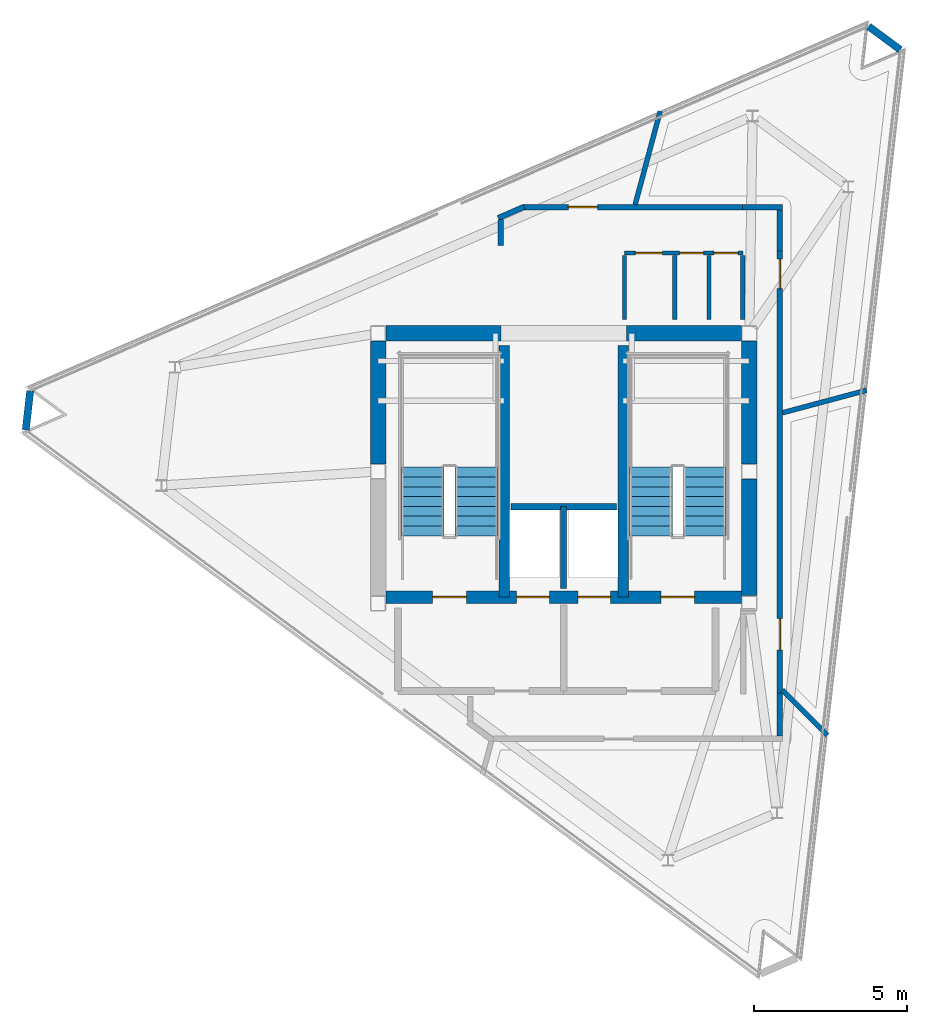
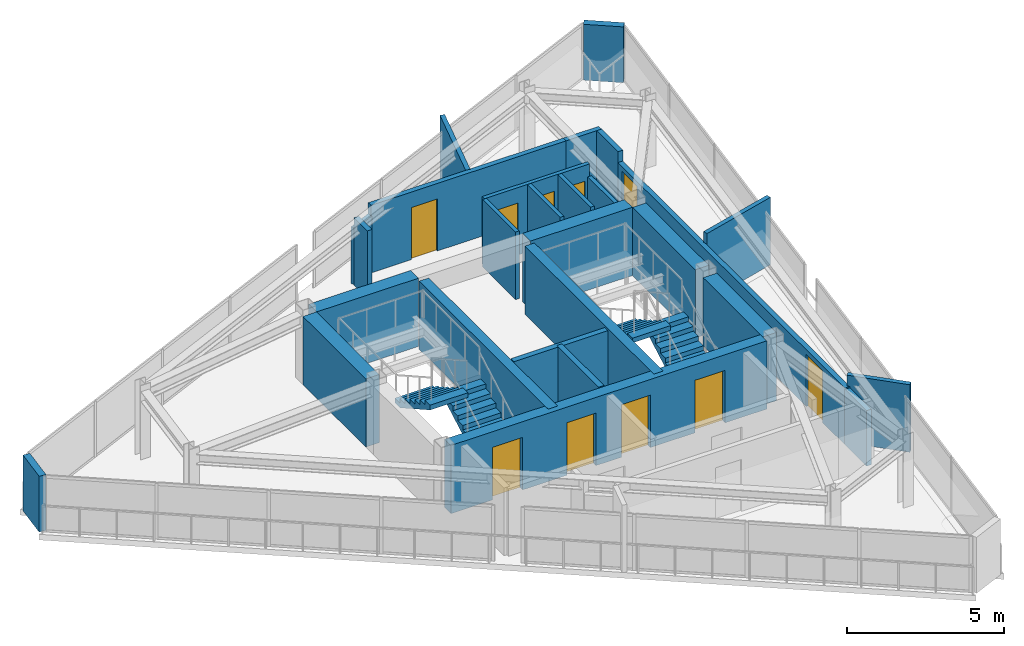
# One storey, part 7 of 9: 27 walls, 10 doors, 4 stair flights, 10 openings, 2 elements without a shape of their own.
"""IFC4 building model written with IfcOpenShell, lengths in metres."""

from ifc_helpers import new_model, si_unit, direction, frame, frame_2d, origin, place, context, subcontext, project, spatial, polyline, rectangle, outline, extrude, material, layer, layer_set, type_object, element, fill, aggregate, save


model = new_model("IFC4")

# Units and contexts
model_context = context("Model", 3, precision=1e-05, world=origin(), true_north=direction((0.0, 1.0)))
body_context = subcontext(model_context, "Body", "Model", "MODEL_VIEW")
ifc_project = project(units=[si_unit("LENGTHUNIT", "METRE"), si_unit("AREAUNIT", "SQUARE_METRE"), si_unit("VOLUMEUNIT", "CUBIC_METRE"), si_unit("PLANEANGLEUNIT", "RADIAN"), si_unit("MASSUNIT", "GRAM", prefix="KILO")], contexts=[model_context])

# Site, building, storey
site_placement = place(None, origin())
site = spatial("IfcSite", under=ifc_project, at=site_placement, CompositionType="ELEMENT")
building_placement = place(site_placement, origin())
building = spatial("IfcBuilding", under=site, at=building_placement, Name="Rocaltana Carrier Exchange", CompositionType="ELEMENT")
storey_placement = place(building_placement, frame((0.0, 0.0, 246.239990234375)))
storey = spatial("IfcBuildingStorey", under=building, at=storey_placement, Name="L78", CompositionType="ELEMENT", Elevation=246.239990234375)

# Walls
ifc_material_1 = material(Name="Double Acoustic Gypsum Partition", Category="gypsum")
ifc_layer_1 = layer(ifc_material_1, 0.159912109375)
ifc_layer_set_1 = layer_set([ifc_layer_1], Name="Double Acoustic Gypsum Partition")
wall_type_1 = type_object("IfcWallType", Name="Acoustic Studio Partition 160 EI60", PredefinedType="PARTITIONING", material=ifc_layer_set_1)
wall_1_placement = place(storey_placement, frame((7.1298828125, -7.1298828125, 0.0), z_axis=(0.0, 0.0, 1.0), x_axis=(0.707106781187, -0.707106781187, 0.0)))
element("IfcWall", 1, at=wall_1_placement, inside=storey, type_object=wall_type_1, Name="L78 Suite Divider Wall D2", PredefinedType="PARTITIONING", context=body_context, shape_type="SweptSolid", body=[
    extrude(rectangle(XDim=2.076416015625, YDim=0.159912109375, at=frame_2d((1.0380859375, 0.0))), origin(), (0.0, 0.0, 1.0), 2.623046875),
])
wall_2_placement = place(storey_placement, frame((7.1298828125, 1.910400390625, 0.0), z_axis=(0.0, 0.0, 1.0), x_axis=(0.965918188347, 0.258847548609, 0.0)))
element("IfcWall", 2, at=wall_2_placement, inside=storey, type_object=wall_type_1, Name="L78 Suite Divider Wall D3", PredefinedType="PARTITIONING", context=body_context, shape_type="SweptSolid", body=[
    extrude(rectangle(XDim=2.846435546875, YDim=0.159912109375, at=frame_2d((1.42333984375, 0.0))), origin(), (0.0, 0.0, 1.0), 2.623046875),
])
wall_3_placement = place(storey_placement, frame((2.331298828125, 8.699951171875, 0.0), z_axis=(0.0, 0.0, 1.0), x_axis=(0.258790273714, 0.9659335351, 0.0)))
element("IfcWall", 3, at=wall_3_placement, inside=storey, type_object=wall_type_1, Name="L78 Suite Divider Wall D4", PredefinedType="PARTITIONING", context=body_context, shape_type="SweptSolid", body=[
    extrude(rectangle(XDim=3.15283203125, YDim=0.159912109375, at=frame_2d((1.576416015625, 0.0))), origin(), (0.0, 0.0, 1.0), 2.623046875),
])
ifc_material_2 = material(Name="Concrete C50/60", Category="concrete")
ifc_layer_2 = layer(ifc_material_2, 0.35009765625)
ifc_layer_set_2 = layer_set([ifc_layer_2], Name="Concrete C50/60")
wall_type_2 = type_object("IfcWallType", Name="Core Internal Shear Wall 350", PredefinedType="SHEAR", material=ifc_layer_set_2)
for number, where, z_axis, x_axis, name in (
    (4, (-1.93994140625, -4.10009765625, 0.0), (0.0, 0.0, 1.0), (0.0, 1.0, 0.0), "L78 Core Shear Wall CW-STW"),
    (5, (1.93994140625, -4.10009765625, 0.0), (0.0, 0.0, 1.0), (0.0, 1.0, 0.0), "L78 Core Shear Wall CW-STE"),
):
    element("IfcWall", number, at=place(storey_placement, frame(where, z_axis=z_axis, x_axis=x_axis)), inside=storey, type_object=wall_type_2, Name=name, PredefinedType="SHEAR", context=body_context, shape_type="SweptSolid", body=[
        extrude(rectangle(XDim=8.2001953125, YDim=0.35009765625, at=frame_2d((4.10009765625, 0.0))), origin(), (0.0, 0.0, 1.0), 2.64794921875),
    ])

# Wall, openings, doors
ifc_material_3 = material(Name="Concrete C50/60", Category="concrete")
ifc_layer_3 = layer(ifc_material_3, 0.39990234375)
ifc_layer_set_3 = layer_set([ifc_layer_3], Name="Concrete C50/60")
wall_type_3 = type_object("IfcWallType", Name="Core Internal Shear Wall 400", PredefinedType="SHEAR", material=ifc_layer_set_3)
wall_4_placement = place(storey_placement, frame((-5.800048828125, -4.10009765625, 0.0), z_axis=(0.0, 0.0, 1.0), x_axis=(1.0, 0.0, 0.0)))
wall_4 = element("IfcWall", 6, at=wall_4_placement, inside=storey, type_object=wall_type_3, Name="L78 Core Shear Wall CW-S", PredefinedType="SHEAR", context=body_context, shape_type="SweptSolid", body=[
    extrude(rectangle(XDim=11.60009765625, YDim=0.39990234375, at=frame_2d((5.800048828125, 0.0))), origin(), (0.0, 0.0, 1.0), 2.64794921875),
])
opening_1_placement = place(wall_4_placement, frame((1.530029296875, 0.0, 0.0)))
opening_1 = element("IfcOpeningElement", 7, at=opening_1_placement, cuts=wall_4, Name="Opening D-ST110", PredefinedType="OPENING", context=body_context, shape_type="SweptSolid", body=[
    extrude(rectangle(XDim=1.10009765625, YDim=2.0400390625, at=frame_2d((0.550048828125, 1.02001953125))), frame((0.0, 0.2099609375, 0.0), z_axis=(0.0, -1.0, 0.0), x_axis=(1.0, 0.0, 0.0)), (0.0, 0.0, 1.0), 0.419921875),
])
opening_2_placement = place(wall_4_placement, frame((8.969970703125, 0.0, 0.0)))
opening_2 = element("IfcOpeningElement", 8, at=opening_2_placement, cuts=wall_4, Name="Opening D-ST110", PredefinedType="OPENING", context=body_context, shape_type="SweptSolid", body=[
    extrude(rectangle(XDim=1.10009765625, YDim=2.0400390625, at=frame_2d((0.550048828125, 1.02001953125))), frame((0.0, 0.2099609375, 0.0), z_axis=(0.0, -1.0, 0.0), x_axis=(1.0, 0.0, 0.0)), (0.0, 0.0, 1.0), 0.419921875),
])
opening_3_placement = place(wall_4_placement, frame((4.27001953125, 0.0, 0.0)))
opening_3 = element("IfcOpeningElement", 9, at=opening_3_placement, cuts=wall_4, Name="Opening LD-110", PredefinedType="OPENING", context=body_context, shape_type="SweptSolid", body=[
    extrude(rectangle(XDim=1.06005859375, YDim=2.0400390625, at=frame_2d((0.530029296875, 1.02001953125))), frame((0.0, 0.2099609375, 0.0), z_axis=(0.0, -1.0, 0.0), x_axis=(1.0, 0.0, 0.0)), (0.0, 0.0, 1.0), 0.419921875),
])
opening_4_placement = place(wall_4_placement, frame((6.27001953125, 0.0, 0.0)))
opening_4 = element("IfcOpeningElement", 10, at=opening_4_placement, cuts=wall_4, Name="Opening LD-110", PredefinedType="OPENING", context=body_context, shape_type="SweptSolid", body=[
    extrude(rectangle(XDim=1.06005859375, YDim=2.0400390625, at=frame_2d((0.530029296875, 1.02001953125))), frame((0.0, 0.2099609375, 0.0), z_axis=(0.0, -1.0, 0.0), x_axis=(1.0, 0.0, 0.0)), (0.0, 0.0, 1.0), 0.419921875),
])
ifc_material_4 = material(Name="Hollow Metal Fire Door Assembly", Category="steel")
door_type_1 = type_object("IfcDoorType", Name="Exit Stair Fire Door 1100x2040 FD90S", OperationType="NOTDEFINED", PredefinedType="DOOR", material=ifc_material_4)
door_1_placement = place(opening_1_placement, origin())
door_1 = element("IfcDoor", 11, at=door_1_placement, inside=storey, type_object=door_type_1, Name="L78 Exit Stair ST1 Fire Door", OperationType="SINGLE_SWING_RIGHT", OverallHeight=2.0400390625, OverallWidth=1.10009765625, PredefinedType="DOOR", context=body_context, shape_type="SweptSolid", body=[
    extrude(rectangle(XDim=1.10009765625, YDim=2.0400390625, at=frame_2d((0.550048828125, 1.02001953125))), frame((0.0, 0.02490234375, 0.0), z_axis=(0.0, -1.0, 0.0), x_axis=(1.0, 0.0, 0.0)), (0.0, 0.0, 1.0), 0.050048828125),
])
fill(opening_1, door_1)
door_2_placement = place(opening_2_placement, origin())
door_2 = element("IfcDoor", 12, at=door_2_placement, inside=storey, type_object=door_type_1, Name="L78 Exit Stair ST2 Fire Door", OperationType="SINGLE_SWING_LEFT", OverallHeight=2.0400390625, OverallWidth=1.10009765625, PredefinedType="DOOR", context=body_context, shape_type="SweptSolid", body=[
    extrude(rectangle(XDim=1.10009765625, YDim=2.0400390625, at=frame_2d((0.550048828125, 1.02001953125))), frame((0.0, 0.02490234375, 0.0), z_axis=(0.0, -1.0, 0.0), x_axis=(1.0, 0.0, 0.0)), (0.0, 0.0, 1.0), 0.050048828125),
])
fill(opening_2, door_2)
ifc_material_5 = material(Name="Brushed Stainless Sliding Door Leaf", Category="steel")
door_type_2 = type_object("IfcDoorType", Name="Lift Landing Sliding Door 1060x2040", OperationType="NOTDEFINED", PredefinedType="DOOR", material=ifc_material_5)
door_3_placement = place(opening_3_placement, origin())
door_3 = element("IfcDoor", 13, at=door_3_placement, inside=storey, type_object=door_type_2, Name="L78 Firefighting Lift FFL1 Landing Door", OperationType="SLIDING_TO_LEFT", OverallHeight=2.0400390625, OverallWidth=1.06005859375, PredefinedType="DOOR", context=body_context, shape_type="SweptSolid", body=[
    extrude(rectangle(XDim=1.06005859375, YDim=2.0400390625, at=frame_2d((0.530029296875, 1.02001953125))), frame((0.0, 0.02490234375, 0.0), z_axis=(0.0, -1.0, 0.0), x_axis=(1.0, 0.0, 0.0)), (0.0, 0.0, 1.0), 0.050048828125),
])
fill(opening_3, door_3)
door_4_placement = place(opening_4_placement, origin())
door_4 = element("IfcDoor", 14, at=door_4_placement, inside=storey, type_object=door_type_2, Name="L78 Firefighting Lift FFL2 Landing Door", OperationType="SLIDING_TO_RIGHT", OverallHeight=2.0400390625, OverallWidth=1.06005859375, PredefinedType="DOOR", context=body_context, shape_type="SweptSolid", body=[
    extrude(rectangle(XDim=1.06005859375, YDim=2.0400390625, at=frame_2d((0.530029296875, 1.02001953125))), frame((0.0, 0.02490234375, 0.0), z_axis=(0.0, -1.0, 0.0), x_axis=(1.0, 0.0, 0.0)), (0.0, 0.0, 1.0), 0.050048828125),
])
fill(opening_4, door_4)

# Walls
ifc_material_6 = material(Name="Concrete C50/60", Category="concrete")
ifc_layer_4 = layer(ifc_material_6, 0.5)
ifc_layer_set_4 = layer_set([ifc_layer_4], Name="Concrete C50/60")
wall_type_4 = type_object("IfcWallType", Name="Core Shear Wall 500", PredefinedType="SHEAR", material=ifc_layer_set_4)
for number, where, z_axis, x_axis, name in (
    (15, (-6.050048828125, 0.25, 0.0), (0.0, 0.0, 1.0), (0.0, 1.0, 0.0), "L78 Core Shear Wall CW-WN"),
    (16, (6.050048828125, 0.25, 0.0), (0.0, 0.0, 1.0), (0.0, 1.0, 0.0), "L78 Core Shear Wall CW-EN"),
):
    element("IfcWall", number, at=place(storey_placement, frame(where, z_axis=z_axis, x_axis=x_axis)), inside=storey, type_object=wall_type_4, Name=name, PredefinedType="SHEAR", context=body_context, shape_type="SweptSolid", body=[
        extrude(rectangle(XDim=4.0, YDim=0.5, at=frame_2d((2.0, 0.0))), origin(), (0.0, 0.0, 1.0), 2.64794921875),
    ])
wall_5_placement = place(storey_placement, frame((6.050048828125, -4.050048828125, 0.0), z_axis=(0.0, 0.0, 1.0), x_axis=(0.0, 1.0, 0.0)))
element("IfcWall", 17, at=wall_5_placement, inside=storey, type_object=wall_type_4, Name="L78 Core Shear Wall CW-ES", PredefinedType="SHEAR", context=body_context, shape_type="SweptSolid", body=[
    extrude(rectangle(XDim=3.800048828125, YDim=0.5, at=frame_2d((1.89990234375, 0.0))), origin(), (0.0, 0.0, 1.0), 2.64794921875),
])
for number, where, z_axis, x_axis, name in (
    (18, (-5.800048828125, 4.5, 0.0), (0.0, 0.0, 1.0), (1.0, 0.0, 0.0), "L78 Core Shear Wall CW-N1"),
    (19, (2.050048828125, 4.5, 0.0), (0.0, 0.0, 1.0), (1.0, 0.0, 0.0), "L78 Core Shear Wall CW-N2"),
):
    element("IfcWall", number, at=place(storey_placement, frame(where, z_axis=z_axis, x_axis=x_axis)), inside=storey, type_object=wall_type_4, Name=name, PredefinedType="SHEAR", context=body_context, shape_type="SweptSolid", body=[
        extrude(rectangle(XDim=3.75, YDim=0.5, at=frame_2d((1.875, 0.0))), origin(), (0.0, 0.0, 1.0), 2.64794921875),
    ])
ifc_material_7 = material(Name="Gypsum & Steel Stud Partition", Category="steel")
ifc_layer_5 = layer(ifc_material_7, 0.179931640625)
ifc_layer_set_5 = layer_set([ifc_layer_5], Name="Gypsum & Steel Stud Partition")
wall_type_5 = type_object("IfcWallType", Name="Corridor Fire Partition 180 EI60", PredefinedType="PARTITIONING", material=ifc_layer_set_5)
wall_6_placement = place(storey_placement, frame((-2.050048828125, 7.360107421875, 0.0), z_axis=(0.0, 0.0, 1.0), x_axis=(0.0, 1.0, 0.0)))
element("IfcWall", 20, at=wall_6_placement, inside=storey, type_object=wall_type_5, Name="L78 Corridor Partition 6", PredefinedType="PARTITIONING", context=body_context, shape_type="SweptSolid", body=[
    extrude(rectangle(XDim=0.846923828125, YDim=0.179931640625, at=frame_2d((0.42333984375, 0.0))), origin(), (0.0, 0.0, 1.0), 2.623046875),
])
wall_7_placement = place(storey_placement, frame((-2.132568359375, 8.260986328125, 0.0), z_axis=(0.0, 0.0, 1.0), x_axis=(0.917032085412, 0.398813432979, 0.0)))
element("IfcWall", 21, at=wall_7_placement, inside=storey, type_object=wall_type_5, Name="L78 Corridor Partition 7", PredefinedType="PARTITIONING", context=body_context, shape_type="SweptSolid", body=[
    extrude(rectangle(XDim=0.920166015625, YDim=0.179931640625, at=frame_2d((0.4599609375, 0.0))), origin(), (0.0, 0.0, 1.0), 2.203125),
])

# Wall, opening, door
wall_8_placement = place(storey_placement, frame((-1.3271484375, 8.6201171875, 0.0), z_axis=(0.0, 0.0, 1.0), x_axis=(1.0, 0.0, 0.0)))
wall_8 = element("IfcWall", 22, at=wall_8_placement, inside=storey, type_object=wall_type_5, Name="L78 Corridor Partition 8", PredefinedType="PARTITIONING", context=body_context, shape_type="SweptSolid", body=[
    extrude(rectangle(XDim=7.197265625, YDim=0.179931640625, at=frame_2d((3.5986328125, 0.0))), origin(), (0.0, 0.0, 1.0), 2.623046875),
])
opening_5_placement = place(wall_8_placement, frame((1.478271484375, 0.0, 0.0)))
opening_5 = element("IfcOpeningElement", 23, at=opening_5_placement, cuts=wall_8, Name="Opening D-RM098", PredefinedType="OPENING", context=body_context, shape_type="SweptSolid", body=[
    extrude(rectangle(XDim=0.9599609375, YDim=2.02001953125, at=frame_2d((0.47998046875, 1.010009765625))), frame((0.0, 0.099853515625, 0.0), z_axis=(0.0, -1.0, 0.0), x_axis=(1.0, 0.0, 0.0)), (0.0, 0.0, 1.0), 0.199951171875),
])
ifc_material_8 = material(Name="Engineered Hardwood Timber", Category="wood")
door_type_3 = type_object("IfcDoorType", Name="Workspace Single Door 960x2020", OperationType="NOTDEFINED", PredefinedType="DOOR", material=ifc_material_8)
door_5_placement = place(opening_5_placement, origin())
door_5 = element("IfcDoor", 24, at=door_5_placement, inside=storey, type_object=door_type_3, Name="L78 Quiet Focus Lounge Entrance Door", OperationType="SINGLE_SWING_RIGHT", OverallHeight=2.02001953125, OverallWidth=0.9599609375, PredefinedType="DOOR", context=body_context, shape_type="SweptSolid", body=[
    extrude(rectangle(XDim=0.9599609375, YDim=2.02001953125, at=frame_2d((0.47998046875, 1.010009765625))), frame((0.0, 0.02490234375, 0.0), z_axis=(0.0, -1.0, 0.0), x_axis=(1.0, 0.0, 0.0)), (0.0, 0.0, 1.0), 0.050048828125),
])
fill(opening_5, door_5)

# Walls
wall_9_placement = place(storey_placement, frame((5.830078125, 8.6201171875, 0.0), z_axis=(0.0, 0.0, 1.0), x_axis=(1.0, 0.0, 0.0)))
element("IfcWall", 25, at=wall_9_placement, inside=storey, type_object=wall_type_5, Name="L78 Corridor Partition 9", PredefinedType="PARTITIONING", context=body_context, shape_type="SweptSolid", body=[
    extrude(rectangle(XDim=1.309814453125, YDim=0.179931640625, at=frame_2d((0.65478515625, 0.0))), origin(), (0.0, 0.0, 1.0), 2.623046875),
])
wall_10_placement = place(storey_placement, frame((7.050048828125, 8.530029296875, 0.0), z_axis=(0.0, 0.0, 1.0), x_axis=(0.0, -1.0, 0.0)))
element("IfcWall", 26, at=wall_10_placement, inside=storey, type_object=wall_type_5, Name="L78 Corridor Partition 10", PredefinedType="PARTITIONING", context=body_context, shape_type="SweptSolid", body=[
    extrude(rectangle(XDim=1.35009765625, YDim=0.179931640625, at=frame_2d((0.675048828125, 0.0))), origin(), (0.0, 0.0, 1.0), 2.623046875),
])

# Wall, openings, doors
wall_11_placement = place(storey_placement, frame((7.050048828125, 7.219970703125, 0.0), z_axis=(0.0, 0.0, 1.0), x_axis=(0.0, -1.0, 0.0)))
wall_11 = element("IfcWall", 27, at=wall_11_placement, inside=storey, type_object=wall_type_5, Name="L78 Corridor Partition 11", PredefinedType="PARTITIONING", context=body_context, shape_type="SweptSolid", body=[
    extrude(rectangle(XDim=14.47998046875, YDim=0.179931640625, at=frame_2d((7.239990234375, 0.0))), origin(), (0.0, 0.0, 1.0), 2.203125),
])
opening_6_placement = place(wall_11_placement, frame((12.019287109375, 0.0, 0.0)))
opening_6 = element("IfcOpeningElement", 28, at=opening_6_placement, cuts=wall_11, Name="Opening D-LB104", PredefinedType="OPENING", context=body_context, shape_type="SweptSolid", body=[
    extrude(rectangle(XDim=1.02001953125, YDim=2.02001953125, at=frame_2d((0.510009765625, 1.010009765625))), frame((0.0, 0.099853515625, 0.0), z_axis=(0.0, -1.0, 0.0), x_axis=(1.0, 0.0, 0.0)), (0.0, 0.0, 1.0), 0.199951171875),
])
opening_7_placement = place(wall_11_placement, frame((0.30029296875, 0.0, 0.0)))
opening_7 = element("IfcOpeningElement", 29, at=opening_7_placement, cuts=wall_11, Name="Opening D-RM098", PredefinedType="OPENING", context=body_context, shape_type="SweptSolid", body=[
    extrude(rectangle(XDim=0.9599609375, YDim=2.02001953125, at=frame_2d((0.47998046875, 1.010009765625))), frame((0.0, 0.099853515625, 0.0), z_axis=(0.0, -1.0, 0.0), x_axis=(1.0, 0.0, 0.0)), (0.0, 0.0, 1.0), 0.199951171875),
])
ifc_material_9 = material(Name="Powder-Coated Aluminium 6063-T6", Category="aluminium")
door_type_4 = type_object("IfcDoorType", Name="Laboratory Acoustic Door 1020x2020", OperationType="NOTDEFINED", PredefinedType="DOOR", material=ifc_material_9)
door_6_placement = place(opening_6_placement, origin())
door_6 = element("IfcDoor", 30, at=door_6_placement, inside=storey, type_object=door_type_4, Name="L78 Optical Switching Laboratory Entrance Door", OperationType="SINGLE_SWING_RIGHT", OverallHeight=2.02001953125, OverallWidth=1.02001953125, PredefinedType="DOOR", context=body_context, shape_type="SweptSolid", body=[
    extrude(rectangle(XDim=1.02001953125, YDim=2.02001953125, at=frame_2d((0.510009765625, 1.010009765625))), frame((0.0, 0.02490234375, 0.0), z_axis=(0.0, -1.0, 0.0), x_axis=(1.0, 0.0, 0.0)), (0.0, 0.0, 1.0), 0.050048828125),
])
fill(opening_6, door_6)
door_7_placement = place(opening_7_placement, origin())
door_7 = element("IfcDoor", 31, at=door_7_placement, inside=storey, type_object=door_type_3, Name="L78 Peering Conference Room Entrance Door", OperationType="SINGLE_SWING_LEFT", OverallHeight=2.02001953125, OverallWidth=0.9599609375, PredefinedType="DOOR", context=body_context, shape_type="SweptSolid", body=[
    extrude(rectangle(XDim=0.9599609375, YDim=2.02001953125, at=frame_2d((0.47998046875, 1.010009765625))), frame((0.0, 0.02490234375, 0.0), z_axis=(0.0, -1.0, 0.0), x_axis=(1.0, 0.0, 0.0)), (0.0, 0.0, 1.0), 0.050048828125),
])
fill(opening_7, door_7)

# Walls
wall_12_placement = place(storey_placement, frame((7.050048828125, -7.219970703125, 0.0), z_axis=(0.0, 0.0, 1.0), x_axis=(0.0, -1.0, 0.0)))
element("IfcWall", 32, at=wall_12_placement, inside=storey, type_object=wall_type_5, Name="L78 Corridor Partition 12", PredefinedType="PARTITIONING", context=body_context, shape_type="SweptSolid", body=[
    extrude(rectangle(XDim=1.409912109375, YDim=0.179931640625, at=frame_2d((0.705078125, 0.0))), origin(), (0.0, 0.0, 1.0), 2.153076171875),
])
ifc_material_10 = material(Name="Reinforced Concrete Block C35/45", Category="concrete")
ifc_layer_6 = layer(ifc_material_10, 0.199951171875)
ifc_layer_set_6 = layer_set([ifc_layer_6], Name="Reinforced Concrete Block C35/45")
wall_type_6 = type_object("IfcWallType", Name="Lift Hoistway Enclosure Wall 200 EI120", PredefinedType="PARTITIONING", material=ifc_layer_set_6)
wall_13_placement = place(storey_placement, frame((0.0, -3.820068359375, 0.0), z_axis=(0.0, 0.0, 1.0), x_axis=(0.0, 1.0, 0.0)))
element("IfcWall", 33, at=wall_13_placement, inside=storey, type_object=wall_type_6, Name="L78 FFL Shaft Divider", PredefinedType="PARTITIONING", context=body_context, shape_type="SweptSolid", body=[
    extrude(rectangle(XDim=2.670166015625, YDim=0.199951171875, at=frame_2d((1.3349609375, 0.0))), origin(), (0.0, 0.0, 1.0), 2.623046875),
])
wall_14_placement = place(storey_placement, frame((-1.719970703125, -1.14990234375, 0.0), z_axis=(0.0, 0.0, 1.0), x_axis=(1.0, 0.0, 0.0)))
element("IfcWall", 34, at=wall_14_placement, inside=storey, type_object=wall_type_6, Name="L78 FFL Shaft Back Wall", PredefinedType="PARTITIONING", context=body_context, shape_type="SweptSolid", body=[
    extrude(rectangle(XDim=3.43994140625, YDim=0.199951171875, at=frame_2d((1.719970703125, 0.0))), origin(), (0.0, 0.0, 1.0), 2.623046875),
])
ifc_material_11 = material(Name="Precast sandstone concrete C40/50", Category="masonry")
ifc_layer_7 = layer(ifc_material_11, 0.239990234375)
ifc_layer_set_7 = layer_set([ifc_layer_7], Name="Precast sandstone concrete C40/50")
wall_type_7 = type_object("IfcWallType", Name="Terrace Stone Parapet Wall 240", PredefinedType="PARAPET", material=ifc_layer_set_7)
for number, where, z_axis, x_axis, name in (
    (35, (10.972900390625, 13.74609375, 0.0), (0.0, 0.0, 1.0), (-0.803782083324, 0.594923829181, 0.0), "L78 Crown Corner Mullion Wall C1"),
    (36, (-17.39111328125, 2.629638671875, 0.0), (0.0, 0.0, 1.0), (-0.113156349647, -0.993577194049, 0.0), "L78 Crown Corner Mullion Wall C2"),
):
    element("IfcWall", number, at=place(storey_placement, frame(where, z_axis=z_axis, x_axis=x_axis)), inside=storey, type_object=wall_type_7, Name=name, PredefinedType="PARAPET", context=body_context, shape_type="SweptSolid", body=[
        extrude(rectangle(XDim=1.2880859375, YDim=0.239990234375, at=frame_2d((0.64404296875, 0.0))), origin(), (0.0, 0.0, 1.0), 2.16796875),
    ])
ifc_material_12 = material(Name="Moisture-Resistant Masonry C30/37", Category="masonry")
ifc_layer_8 = layer(ifc_material_12, 0.139892578125)
ifc_layer_set_8 = layer_set([ifc_layer_8], Name="Moisture-Resistant Masonry C30/37")
wall_type_8 = type_object("IfcWallType", Name="Wet-Area Sanitary Partition 140", PredefinedType="PARTITIONING", material=ifc_layer_set_8)
wall_15_placement = place(storey_placement, frame((1.97998046875, 4.949951171875, 0.0), z_axis=(0.0, 0.0, 1.0), x_axis=(0.0, 1.0, 0.0)))
element("IfcWall", 37, at=wall_15_placement, inside=storey, type_object=wall_type_8, Name="L78 Sanitary West Wall", PredefinedType="PARTITIONING", context=body_context, shape_type="SweptSolid", body=[
    extrude(rectangle(XDim=2.090087890625, YDim=0.139892578125, at=frame_2d((1.044921875, 0.0))), origin(), (0.0, 0.0, 1.0), 2.623046875),
])
wall_16_placement = place(storey_placement, frame((5.840087890625, 4.949951171875, 0.0), z_axis=(0.0, 0.0, 1.0), x_axis=(0.0, 1.0, 0.0)))
element("IfcWall", 38, at=wall_16_placement, inside=storey, type_object=wall_type_8, Name="L78 Sanitary East Wall", PredefinedType="PARTITIONING", context=body_context, shape_type="SweptSolid", body=[
    extrude(rectangle(XDim=2.090087890625, YDim=0.139892578125, at=frame_2d((1.044921875, 0.0))), origin(), (0.0, 0.0, 1.0), 2.153076171875),
])

# Wall, openings, doors
wall_17_placement = place(storey_placement, frame((1.97998046875, 7.1201171875, 0.0), z_axis=(0.0, 0.0, 1.0), x_axis=(1.0, 0.0, 0.0)))
wall_17 = element("IfcWall", 39, at=wall_17_placement, inside=storey, type_object=wall_type_8, Name="L78 Sanitary North Wall", PredefinedType="PARTITIONING", context=body_context, shape_type="SweptSolid", body=[
    extrude(rectangle(XDim=3.860107421875, YDim=0.139892578125, at=frame_2d((1.93017578125, 0.0))), origin(), (0.0, 0.0, 1.0), 2.623046875),
])
opening_8_placement = place(wall_17_placement, frame((0.360107421875, 0.0, 0.0)))
opening_8 = element("IfcOpeningElement", 40, at=opening_8_placement, cuts=wall_17, Name="Opening D-WC090", PredefinedType="OPENING", context=body_context, shape_type="SweptSolid", body=[
    extrude(rectangle(XDim=0.8798828125, YDim=2.02001953125, at=frame_2d((0.43994140625, 1.010009765625))), frame((0.0, 0.079833984375, 0.0), z_axis=(0.0, -1.0, 0.0), x_axis=(1.0, 0.0, 0.0)), (0.0, 0.0, 1.0), 0.159912109375),
])
opening_9_placement = place(wall_17_placement, frame((1.800048828125, 0.0, 0.0)))
opening_9 = element("IfcOpeningElement", 41, at=opening_9_placement, cuts=wall_17, Name="Opening D-RS082", PredefinedType="OPENING", context=body_context, shape_type="SweptSolid", body=[
    extrude(rectangle(XDim=0.780029296875, YDim=2.010009765625, at=frame_2d((0.39013671875, 1.0048828125))), frame((0.0, 0.079833984375, 0.0), z_axis=(0.0, -1.0, 0.0), x_axis=(1.0, 0.0, 0.0)), (0.0, 0.0, 1.0), 0.159912109375),
])
opening_10_placement = place(wall_17_placement, frame((2.919921875, 0.0, 0.0)))
opening_10 = element("IfcOpeningElement", 42, at=opening_10_placement, cuts=wall_17, Name="Opening D-RS082", PredefinedType="OPENING", context=body_context, shape_type="SweptSolid", body=[
    extrude(rectangle(XDim=0.780029296875, YDim=2.010009765625, at=frame_2d((0.39013671875, 1.0048828125))), frame((0.0, 0.079833984375, 0.0), z_axis=(0.0, -1.0, 0.0), x_axis=(1.0, 0.0, 0.0)), (0.0, 0.0, 1.0), 0.159912109375),
])
ifc_material_13 = material(Name="High-Pressure Laminate Timber", Category="wood")
door_type_5 = type_object("IfcDoorType", Name="Restroom & Accessible WC Door 880x2020", OperationType="NOTDEFINED", PredefinedType="DOOR", material=ifc_material_13)
door_8_placement = place(opening_8_placement, origin())
door_8 = element("IfcDoor", 43, at=door_8_placement, inside=storey, type_object=door_type_5, Name="L78 Accessible Toilet Door", OperationType="SINGLE_SWING_RIGHT", OverallHeight=2.02001953125, OverallWidth=0.8798828125, PredefinedType="DOOR", context=body_context, shape_type="SweptSolid", body=[
    extrude(rectangle(XDim=0.8798828125, YDim=2.02001953125, at=frame_2d((0.43994140625, 1.010009765625))), frame((0.0, 0.02490234375, 0.0), z_axis=(0.0, -1.0, 0.0), x_axis=(1.0, 0.0, 0.0)), (0.0, 0.0, 1.0), 0.050048828125),
])
fill(opening_8, door_8)
ifc_material_14 = material(Name="Hollow Metal Access Door Leaf", Category="steel")
door_type_6 = type_object("IfcDoorType", Name="Riser & Service Closet Door 780x2010", OperationType="NOTDEFINED", PredefinedType="DOOR", material=ifc_material_14)
door_9_placement = place(opening_9_placement, origin())
door_9 = element("IfcDoor", 44, at=door_9_placement, inside=storey, type_object=door_type_6, Name="L78 Staff Restroom Door", OperationType="SINGLE_SWING_LEFT", OverallHeight=2.010009765625, OverallWidth=0.780029296875, PredefinedType="DOOR", context=body_context, shape_type="SweptSolid", body=[
    extrude(rectangle(XDim=0.780029296875, YDim=2.010009765625, at=frame_2d((0.39013671875, 1.0048828125))), frame((0.0, 0.02490234375, 0.0), z_axis=(0.0, -1.0, 0.0), x_axis=(1.0, 0.0, 0.0)), (0.0, 0.0, 1.0), 0.050048828125),
])
fill(opening_9, door_9)
door_10_placement = place(opening_10_placement, origin())
door_10 = element("IfcDoor", 45, at=door_10_placement, inside=storey, type_object=door_type_6, Name="L78 Fibre Riser Closet Door", OperationType="SINGLE_SWING_RIGHT", OverallHeight=2.010009765625, OverallWidth=0.780029296875, PredefinedType="DOOR", context=body_context, shape_type="SweptSolid", body=[
    extrude(rectangle(XDim=0.780029296875, YDim=2.010009765625, at=frame_2d((0.39013671875, 1.0048828125))), frame((0.0, 0.02490234375, 0.0), z_axis=(0.0, -1.0, 0.0), x_axis=(1.0, 0.0, 0.0)), (0.0, 0.0, 1.0), 0.050048828125),
])
fill(opening_10, door_10)

# Walls
for number, where, z_axis, x_axis, name in (
    (46, (3.6201171875, 4.949951171875, 0.0), (0.0, 0.0, 1.0), (0.0, 1.0, 0.0), "L78 Sanitary Divider 1"),
    (47, (4.739990234375, 4.949951171875, 0.0), (0.0, 0.0, 1.0), (0.0, 1.0, 0.0), "L78 Sanitary Divider 2"),
):
    element("IfcWall", number, at=place(storey_placement, frame(where, z_axis=z_axis, x_axis=x_axis)), inside=storey, type_object=wall_type_8, Name=name, PredefinedType="PARTITIONING", context=body_context, shape_type="SweptSolid", body=[
        extrude(rectangle(XDim=2.090087890625, YDim=0.139892578125, at=frame_2d((1.044921875, 0.0))), origin(), (0.0, 0.0, 1.0), 2.623046875),
    ])

# Stair, stair flights
ifc_material_15 = material(Name="Precast concrete C45/55", Category="concrete")
stair_type = type_object("IfcStairType", Name="Standard Dog-Leg Stair 160", PredefinedType="HALF_TURN_STAIR", material=ifc_material_15)
stair_1_placement = place(storey_placement, origin())
stair_1 = element("IfcStair", 48, at=stair_1_placement, inside=storey, type_object=stair_type, Name="L78 Core West Exit Stair ST-1", PredefinedType="HALF_TURN_STAIR")
ifc_material_16 = material(Name="Precast concrete C45/55", Category="concrete")
stair_flight_type = type_object("IfcStairFlightType", Name="Precast Stair Flight 160", PredefinedType="STRAIGHT", material=ifc_material_16)
stair_flight_1_placement = place(storey_placement, frame((-2.840087890625, -2.10009765625, 0.0), z_axis=(0.0, 0.0, 1.0), x_axis=(0.0, 1.0, 0.0)))
stair_flight_1 = element("IfcStairFlight", 49, at=stair_flight_1_placement, type_object=stair_flight_type, Name="ST-1 flight 1", NumberOfRisers=8, NumberOfTreads=7, PredefinedType="STRAIGHT", RiserHeight=0.18, TreadLength=0.32, context=body_context, shape_type="SweptSolid", body=[
    extrude(outline(polyline([(0.0, 0.0), (0.0, 0.179931640625), (0.320068359375, 0.179931640625), (0.320068359375, 0.360107421875), (0.639892578125, 0.360107421875), (0.639892578125, 0.5400390625), (0.9599609375, 0.5400390625), (0.9599609375, 0.719970703125), (1.280029296875, 0.719970703125), (1.280029296875, 0.89990234375), (1.60009765625, 0.89990234375), (1.60009765625, 1.080078125), (1.919921875, 1.080078125), (1.919921875, 1.260009765625), (2.239990234375, 1.260009765625), (2.239990234375, 1.43994140625), (2.239990234375, 1.076416015625), (0.326171875, 0.0), (0.0, 0.0)])), frame((0.0, 0.699951171875, 0.0), z_axis=(0.0, -1.0, 0.0), x_axis=(1.0, 0.0, 0.0)), (0.0, 0.0, 1.0), 1.39990234375),
])
stair_flight_2_placement = place(storey_placement, frame((-4.60009765625, 0.139892578125, 1.43994140625), z_axis=(0.0, 0.0, 1.0), x_axis=(0.0, -1.0, 0.0)))
stair_flight_2 = element("IfcStairFlight", 50, at=stair_flight_2_placement, type_object=stair_flight_type, Name="ST-1 flight 2", NumberOfRisers=8, NumberOfTreads=7, PredefinedType="STRAIGHT", RiserHeight=0.18, TreadLength=0.32, context=body_context, shape_type="SweptSolid", body=[
    extrude(outline(polyline([(0.0, 0.0), (0.0, 0.179931640625), (0.320068359375, 0.179931640625), (0.320068359375, 0.360107421875), (0.639892578125, 0.360107421875), (0.639892578125, 0.5400390625), (0.9599609375, 0.5400390625), (0.9599609375, 0.719970703125), (1.280029296875, 0.719970703125), (1.280029296875, 0.89990234375), (1.60009765625, 0.89990234375), (1.60009765625, 1.080078125), (1.919921875, 1.080078125), (1.919921875, 1.260009765625), (2.239990234375, 1.260009765625), (2.239990234375, 1.43994140625), (2.239990234375, 1.076416015625), (0.326171875, 0.0), (0.0, 0.0)])), frame((0.0, 0.699951171875, 0.0), z_axis=(0.0, -1.0, 0.0), x_axis=(1.0, 0.0, 0.0)), (0.0, 0.0, 1.0), 1.39990234375),
])
aggregate(stair_1, [stair_flight_1, stair_flight_2])

stair_2_placement = place(storey_placement, origin())
stair_2 = element("IfcStair", 51, at=stair_2_placement, inside=storey, type_object=stair_type, Name="L78 Core East Exit Stair ST-2", PredefinedType="HALF_TURN_STAIR")
stair_flight_3_placement = place(storey_placement, frame((4.60009765625, -2.10009765625, 0.0), z_axis=(0.0, 0.0, 1.0), x_axis=(0.0, 1.0, 0.0)))
stair_flight_3 = element("IfcStairFlight", 52, at=stair_flight_3_placement, type_object=stair_flight_type, Name="ST-2 flight 1", NumberOfRisers=8, NumberOfTreads=7, PredefinedType="STRAIGHT", RiserHeight=0.18, TreadLength=0.32, context=body_context, shape_type="SweptSolid", body=[
    extrude(outline(polyline([(0.0, 0.0), (0.0, 0.179931640625), (0.320068359375, 0.179931640625), (0.320068359375, 0.360107421875), (0.639892578125, 0.360107421875), (0.639892578125, 0.5400390625), (0.9599609375, 0.5400390625), (0.9599609375, 0.719970703125), (1.280029296875, 0.719970703125), (1.280029296875, 0.89990234375), (1.60009765625, 0.89990234375), (1.60009765625, 1.080078125), (1.919921875, 1.080078125), (1.919921875, 1.260009765625), (2.239990234375, 1.260009765625), (2.239990234375, 1.43994140625), (2.239990234375, 1.076416015625), (0.326171875, 0.0), (0.0, 0.0)])), frame((0.0, 0.699951171875, 0.0), z_axis=(0.0, -1.0, 0.0), x_axis=(1.0, 0.0, 0.0)), (0.0, 0.0, 1.0), 1.39990234375),
])
stair_flight_4_placement = place(storey_placement, frame((2.840087890625, 0.139892578125, 1.43994140625), z_axis=(0.0, 0.0, 1.0), x_axis=(0.0, -1.0, 0.0)))
stair_flight_4 = element("IfcStairFlight", 53, at=stair_flight_4_placement, type_object=stair_flight_type, Name="ST-2 flight 2", NumberOfRisers=8, NumberOfTreads=7, PredefinedType="STRAIGHT", RiserHeight=0.18, TreadLength=0.32, context=body_context, shape_type="SweptSolid", body=[
    extrude(outline(polyline([(0.0, 0.0), (0.0, 0.179931640625), (0.320068359375, 0.179931640625), (0.320068359375, 0.360107421875), (0.639892578125, 0.360107421875), (0.639892578125, 0.5400390625), (0.9599609375, 0.5400390625), (0.9599609375, 0.719970703125), (1.280029296875, 0.719970703125), (1.280029296875, 0.89990234375), (1.60009765625, 0.89990234375), (1.60009765625, 1.080078125), (1.919921875, 1.080078125), (1.919921875, 1.260009765625), (2.239990234375, 1.260009765625), (2.239990234375, 1.43994140625), (2.239990234375, 1.076416015625), (0.326171875, 0.0), (0.0, 0.0)])), frame((0.0, 0.699951171875, 0.0), z_axis=(0.0, -1.0, 0.0), x_axis=(1.0, 0.0, 0.0)), (0.0, 0.0, 1.0), 1.39990234375),
])
aggregate(stair_2, [stair_flight_3, stair_flight_4])

save(model, "model.ifc")
